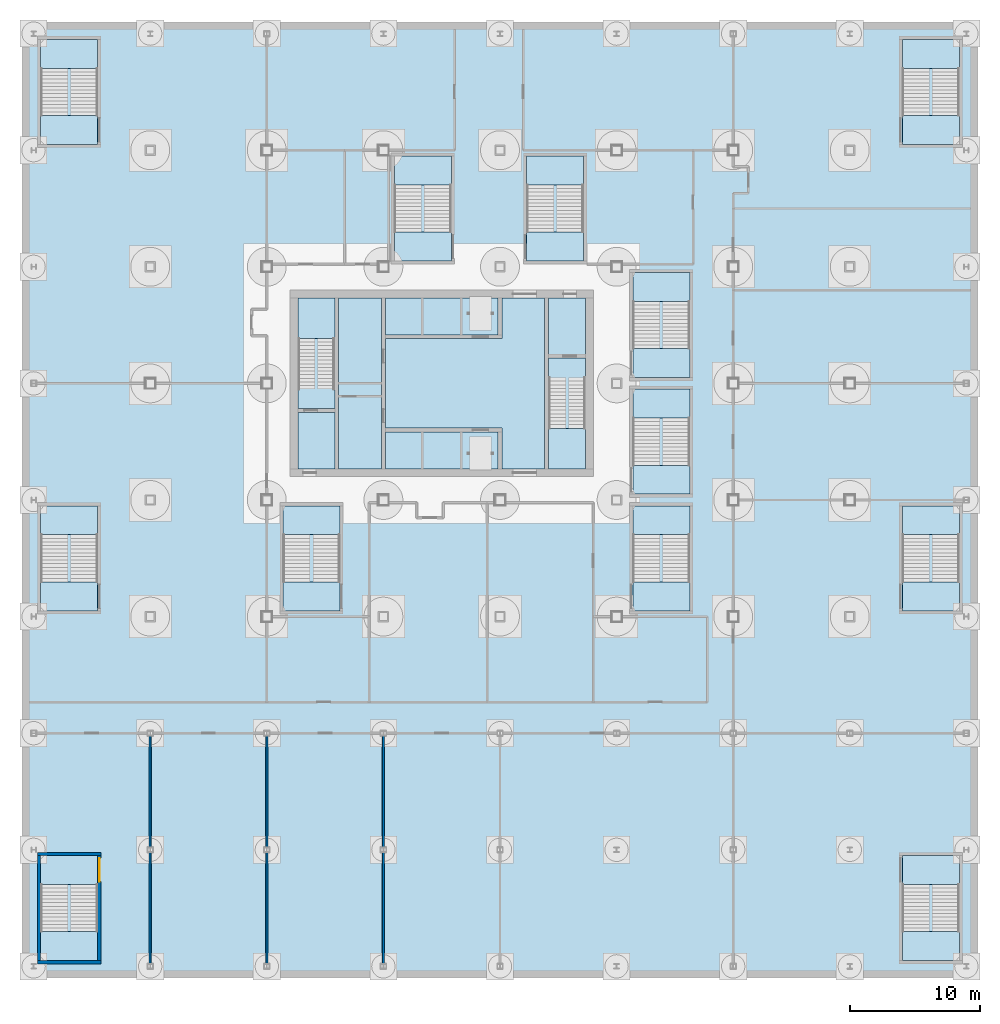
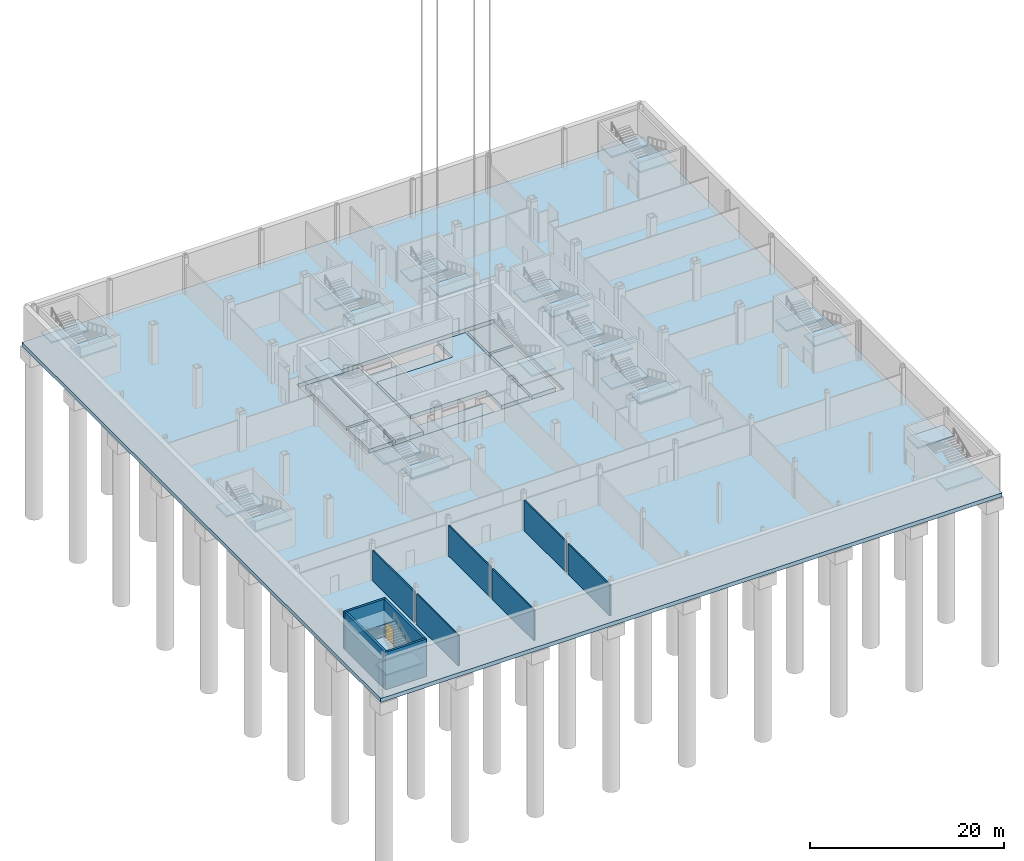
# One storey, part 7 of 28: 35 slabs, 10 walls, 1 door, 1 opening, 14 elements without a shape of their own.
"""IFC4 building model written with IfcOpenShell, lengths in metres."""

from ifc_helpers import new_model, si_unit, direction, frame, frame_2d, origin, place, context, subcontext, project, spatial, polyline, rectangle, outline, extrude, material, layer, layer_set, type_object, element, fill, aggregate, save


model = new_model("IFC4")

# Units and contexts
model_context = context("Model", 3, precision=1e-05, world=origin(), true_north=direction((0.0, 1.0)))
body_context = subcontext(model_context, "Body", "Model", "MODEL_VIEW")
ifc_project = project(units=[si_unit("LENGTHUNIT", "METRE"), si_unit("AREAUNIT", "SQUARE_METRE"), si_unit("VOLUMEUNIT", "CUBIC_METRE"), si_unit("PLANEANGLEUNIT", "RADIAN"), si_unit("MASSUNIT", "GRAM", prefix="KILO")], contexts=[model_context])

# Site, building, storey
site_placement = place(None, origin())
site = spatial("IfcSite", under=ifc_project, at=site_placement, CompositionType="ELEMENT")
building_placement = place(site_placement, origin())
building = spatial("IfcBuilding", under=site, at=building_placement, Name="Loomwork Tower", CompositionType="ELEMENT")
storey_placement = place(building_placement, frame((0.0, 0.0, -10.5)))
storey = spatial("IfcBuildingStorey", under=building, at=storey_placement, Name="B2", CompositionType="ELEMENT", Elevation=-10.5)

# Slabs
ifc_material_1 = material(Name="Concrete 6000 psi (41 MPa)", Category="concrete")
ifc_layer_1 = layer(ifc_material_1, 0.5)
ifc_layer_set_1 = layer_set([ifc_layer_1], Name="Base slab 500")
slab_type_1 = type_object("IfcSlabType", Name="Base slab 500", PredefinedType="BASESLAB", material=ifc_layer_set_1)
slab_1_placement = place(storey_placement, frame((0.0, 0.0, -0.5)))
element("IfcSlab", 1, at=slab_1_placement, inside=storey, type_object=slab_type_1, Name="Base slab B2", PredefinedType="BASESLAB", context=body_context, shape_type="SweptSolid", body=[
    extrude(outline(polyline([(-9.89990234375, -27.89990234375), (-9.89990234375, 45.89990234375), (63.89990234375, 45.89990234375), (63.89990234375, -27.89990234375), (-9.89990234375, -27.89990234375)]), holes=[polyline([(10.800048828125, 11.39990234375), (10.800048828125, 10.800048828125), (34.199951171875, 10.800048828125), (34.199951171875, 11.39990234375), (34.199951171875, 11.39990234375), (34.199951171875, 24.60009765625), (34.199951171875, 25.199951171875), (10.800048828125, 25.199951171875), (10.800048828125, 24.60009765625), (10.800048828125, 11.39990234375), (10.800048828125, 11.39990234375)])]), origin(), (0.0, 0.0, 1.0), 0.5),
])
slab_2_placement = place(storey_placement, frame((0.0, 0.0, -0.5)))
element("IfcSlab", 2, at=slab_2_placement, inside=storey, type_object=slab_type_1, Name="Base slab B2 core infill 1", PredefinedType="BASESLAB", context=body_context, shape_type="SweptSolid", body=[
    extrude(outline(polyline([(18.14990234375, 21.449951171875), (27.14990234375, 21.449951171875), (27.14990234375, 21.75), (27.14990234375, 24.60009765625), (30.449951171875, 24.60009765625), (30.449951171875, 11.39990234375), (27.14990234375, 11.39990234375), (27.14990234375, 14.25), (27.14990234375, 14.550048828125), (18.14990234375, 14.550048828125), (18.14990234375, 21.449951171875)])), origin(), (0.0, 0.0, 1.0), 0.5),
])
slab_3_placement = place(storey_placement, frame((0.0, 0.0, -0.5)))
element("IfcSlab", 3, at=slab_3_placement, inside=storey, type_object=slab_type_1, Name="Base slab B2 core infill 2", PredefinedType="BASESLAB", context=body_context, shape_type="SweptSolid", body=[
    extrude(outline(polyline([(14.550048828125, 24.60009765625), (17.85009765625, 24.60009765625), (17.85009765625, 11.39990234375), (14.550048828125, 11.39990234375), (14.550048828125, 24.60009765625)])), origin(), (0.0, 0.0, 1.0), 0.5),
])
slab_4_placement = place(storey_placement, frame((0.0, 0.0, -0.5)))
element("IfcSlab", 4, at=slab_4_placement, inside=storey, type_object=slab_type_1, Name="Base slab B2 core infill 3", PredefinedType="BASESLAB", context=body_context, shape_type="SweptSolid", body=[
    extrude(outline(polyline([(30.75, 11.39990234375), (30.75, 19.949951171875), (33.60009765625, 19.949951171875), (33.60009765625, 11.39990234375), (30.75, 11.39990234375)])), origin(), (0.0, 0.0, 1.0), 0.5),
])
slab_5_placement = place(storey_placement, frame((0.0, 0.0, -0.5)))
element("IfcSlab", 5, at=slab_5_placement, inside=storey, type_object=slab_type_1, Name="Base slab B2 core infill 4", PredefinedType="BASESLAB", context=body_context, shape_type="SweptSolid", body=[
    extrude(outline(polyline([(11.39990234375, 24.60009765625), (14.25, 24.60009765625), (14.25, 16.050048828125), (11.39990234375, 16.050048828125), (11.39990234375, 24.60009765625)])), origin(), (0.0, 0.0, 1.0), 0.5),
])
slab_6_placement = place(storey_placement, frame((0.0, 0.0, -0.5)))
element("IfcSlab", 6, at=slab_6_placement, inside=storey, type_object=slab_type_1, Name="Base slab B2 core infill 5", PredefinedType="BASESLAB", context=body_context, shape_type="SweptSolid", body=[
    extrude(outline(polyline([(33.60009765625, 20.25), (30.75, 20.25), (30.75, 24.60009765625), (33.60009765625, 24.60009765625), (33.60009765625, 20.25)])), origin(), (0.0, 0.0, 1.0), 0.5),
])
slab_7_placement = place(storey_placement, frame((0.0, 0.0, -0.5)))
element("IfcSlab", 7, at=slab_7_placement, inside=storey, type_object=slab_type_1, Name="Base slab B2 core infill 6", PredefinedType="BASESLAB", context=body_context, shape_type="SweptSolid", body=[
    extrude(outline(polyline([(14.25, 11.39990234375), (11.39990234375, 11.39990234375), (11.39990234375, 15.75), (14.25, 15.75), (14.25, 11.39990234375)])), origin(), (0.0, 0.0, 1.0), 0.5),
])
ifc_material_2 = material(Name="Concrete 6000 psi (41 MPa)", Category="concrete")
ifc_layer_2 = layer(ifc_material_2, 0.5)
ifc_layer_set_2 = layer_set([ifc_layer_2], Name="Lift pit slab 500")
slab_type_2 = type_object("IfcSlabType", Name="Lift pit slab 500", PredefinedType="BASESLAB", material=ifc_layer_set_2)
slab_8_placement = place(storey_placement, frame((0.0, 0.0, -1.800048828125)))
element("IfcSlab", 8, at=slab_8_placement, inside=storey, type_object=slab_type_2, Name="Lift pit slab south row", PredefinedType="BASESLAB", context=body_context, shape_type="SweptSolid", body=[
    extrude(outline(polyline([(18.14990234375, 11.39990234375), (26.85009765625, 11.39990234375), (26.85009765625, 14.25), (18.14990234375, 14.25), (18.14990234375, 11.39990234375)])), origin(), (0.0, 0.0, 1.0), 0.5),
])
slab_9_placement = place(storey_placement, frame((0.0, 0.0, -1.800048828125)))
element("IfcSlab", 9, at=slab_9_placement, inside=storey, type_object=slab_type_2, Name="Lift pit slab north row", PredefinedType="BASESLAB", context=body_context, shape_type="SweptSolid", body=[
    extrude(outline(polyline([(18.14990234375, 21.75), (26.85009765625, 21.75), (26.85009765625, 24.60009765625), (18.14990234375, 24.60009765625), (18.14990234375, 21.75)])), origin(), (0.0, 0.0, 1.0), 0.5),
])

# Stair, slab
ifc_material_3 = material(Name="Concrete 5000 psi (34 MPa) precast stair", Category="concrete")
stair_type_1 = type_object("IfcStairType", Name="Stair ST-A 30 risers 2850 wide", PredefinedType="HALF_TURN_STAIR", material=ifc_material_3)
stair_1_placement = place(storey_placement, origin())
stair_1 = element("IfcStair", 10, at=stair_1_placement, inside=storey, type_object=stair_type_1, Name="Stair A B2", PredefinedType="HALF_TURN_STAIR")
ifc_material_4 = material(Name="Concrete 5000 psi (34 MPa)", Category="concrete")
ifc_layer_3 = layer(ifc_material_4, 0.199951171875)
ifc_layer_set_3 = layer_set([ifc_layer_3], Name="Stair landing 200")
slab_type_3 = type_object("IfcSlabType", Name="Stair landing 200", PredefinedType="LANDING", material=ifc_layer_set_3)
slab_10_placement = place(storey_placement, frame((0.0, 0.0, 2.300048828125)))
slab_10 = element("IfcSlab", 11, at=slab_10_placement, type_object=slab_type_3, Name="ST-A landing 1", PredefinedType="LANDING", context=body_context, shape_type="SweptSolid", body=[
    extrude(outline(polyline([(11.39990234375, 21.469970703125), (14.25, 21.469970703125), (14.25, 24.60009765625), (11.39990234375, 24.60009765625), (11.39990234375, 21.469970703125)])), origin(), (0.0, 0.0, 1.0), 0.199951171875),
])
aggregate(stair_1, [slab_10])

ifc_material_5 = material(Name="Concrete 5000 psi (34 MPa) precast stair", Category="concrete")
stair_type_2 = type_object("IfcStairType", Name="Stair ST-B 30 risers 2850 wide", PredefinedType="HALF_TURN_STAIR", material=ifc_material_5)
stair_2_placement = place(storey_placement, origin())
stair_2 = element("IfcStair", 12, at=stair_2_placement, inside=storey, type_object=stair_type_2, Name="Stair B B2", PredefinedType="HALF_TURN_STAIR")
slab_11_placement = place(storey_placement, frame((0.0, 0.0, 2.300048828125)))
slab_11 = element("IfcSlab", 13, at=slab_11_placement, type_object=slab_type_3, Name="ST-B landing 1", PredefinedType="LANDING", context=body_context, shape_type="SweptSolid", body=[
    extrude(outline(polyline([(30.75, 11.39990234375), (33.60009765625, 11.39990234375), (33.60009765625, 14.530029296875), (30.75, 14.530029296875), (30.75, 11.39990234375)])), origin(), (0.0, 0.0, 1.0), 0.199951171875),
])
aggregate(stair_2, [slab_11])

# Stair, slabs
ifc_material_6 = material(Name="Concrete 5000 psi (34 MPa) precast stair", Category="concrete")
stair_type_3 = type_object("IfcStairType", Name="Stair ST-S1P 42 risers of 119 4400 wide", PredefinedType="HALF_TURN_STAIR", material=ifc_material_6)
stair_3_placement = place(storey_placement, origin())
stair_3 = element("IfcStair", 14, at=stair_3_placement, inside=storey, type_object=stair_type_3, Name="Podium stair PS1 B2", PredefinedType="HALF_TURN_STAIR")
slab_12_placement = place(storey_placement, frame((0.0, 0.0, 1.466796875)))
slab_12 = element("IfcSlab", 15, at=slab_12_placement, type_object=slab_type_3, Name="ST-S1P landing 1", PredefinedType="LANDING", context=body_context, shape_type="SweptSolid", body=[
    extrude(outline(polyline([(-8.449951171875, -26.550048828125), (-4.050048828125, -26.550048828125), (-4.050048828125, -24.320068359375), (-8.449951171875, -24.320068359375), (-8.449951171875, -26.550048828125)])), origin(), (0.0, 0.0, 1.0), 0.199951171875),
])
slab_13_placement = place(storey_placement, frame((0.0, 0.0, 3.13330078125)))
slab_13 = element("IfcSlab", 16, at=slab_13_placement, type_object=slab_type_3, Name="ST-S1P landing 2", PredefinedType="LANDING", context=body_context, shape_type="SweptSolid", body=[
    extrude(outline(polyline([(-8.449951171875, -20.679931640625), (-4.050048828125, -20.679931640625), (-4.050048828125, -18.449951171875), (-8.449951171875, -18.449951171875), (-8.449951171875, -20.679931640625)])), origin(), (0.0, 0.0, 1.0), 0.199951171875),
])
aggregate(stair_3, [slab_12, slab_13])

ifc_material_7 = material(Name="Concrete 5000 psi (34 MPa) precast stair", Category="concrete")
stair_type_4 = type_object("IfcStairType", Name="Stair ST-S2P 42 risers of 119 4400 wide", PredefinedType="HALF_TURN_STAIR", material=ifc_material_7)
stair_4_placement = place(storey_placement, origin())
stair_4 = element("IfcStair", 17, at=stair_4_placement, inside=storey, type_object=stair_type_4, Name="Podium stair PS2 B2", PredefinedType="HALF_TURN_STAIR")
slab_14_placement = place(storey_placement, frame((0.0, 0.0, 1.466796875)))
slab_14 = element("IfcSlab", 18, at=slab_14_placement, type_object=slab_type_3, Name="ST-S2P landing 1", PredefinedType="LANDING", context=body_context, shape_type="SweptSolid", body=[
    extrude(outline(polyline([(58.050048828125, -26.550048828125), (62.449951171875, -26.550048828125), (62.449951171875, -24.320068359375), (58.050048828125, -24.320068359375), (58.050048828125, -26.550048828125)])), origin(), (0.0, 0.0, 1.0), 0.199951171875),
])
slab_15_placement = place(storey_placement, frame((0.0, 0.0, 3.13330078125)))
slab_15 = element("IfcSlab", 19, at=slab_15_placement, type_object=slab_type_3, Name="ST-S2P landing 2", PredefinedType="LANDING", context=body_context, shape_type="SweptSolid", body=[
    extrude(outline(polyline([(58.050048828125, -20.679931640625), (62.449951171875, -20.679931640625), (62.449951171875, -18.449951171875), (58.050048828125, -18.449951171875), (58.050048828125, -20.679931640625)])), origin(), (0.0, 0.0, 1.0), 0.199951171875),
])
aggregate(stair_4, [slab_14, slab_15])

ifc_material_8 = material(Name="Concrete 5000 psi (34 MPa) precast stair", Category="concrete")
stair_type_5 = type_object("IfcStairType", Name="Stair ST-S3P 42 risers of 119 4400 wide", PredefinedType="HALF_TURN_STAIR", material=ifc_material_8)
stair_5_placement = place(storey_placement, origin())
stair_5 = element("IfcStair", 20, at=stair_5_placement, inside=storey, type_object=stair_type_5, Name="Podium stair PS3 B2", PredefinedType="HALF_TURN_STAIR")
slab_16_placement = place(storey_placement, frame((0.0, 0.0, 1.466796875)))
slab_16 = element("IfcSlab", 21, at=slab_16_placement, type_object=slab_type_3, Name="ST-S3P landing 1", PredefinedType="LANDING", context=body_context, shape_type="SweptSolid", body=[
    extrude(outline(polyline([(-8.449951171875, 42.320068359375), (-4.050048828125, 42.320068359375), (-4.050048828125, 44.550048828125), (-8.449951171875, 44.550048828125), (-8.449951171875, 42.320068359375)])), origin(), (0.0, 0.0, 1.0), 0.199951171875),
])
slab_17_placement = place(storey_placement, frame((0.0, 0.0, 3.13330078125)))
slab_17 = element("IfcSlab", 22, at=slab_17_placement, type_object=slab_type_3, Name="ST-S3P landing 2", PredefinedType="LANDING", context=body_context, shape_type="SweptSolid", body=[
    extrude(outline(polyline([(-8.449951171875, 36.449951171875), (-4.050048828125, 36.449951171875), (-4.050048828125, 38.679931640625), (-8.449951171875, 38.679931640625), (-8.449951171875, 36.449951171875)])), origin(), (0.0, 0.0, 1.0), 0.199951171875),
])
aggregate(stair_5, [slab_16, slab_17])

ifc_material_9 = material(Name="Concrete 5000 psi (34 MPa) precast stair", Category="concrete")
stair_type_6 = type_object("IfcStairType", Name="Stair ST-S4P 42 risers of 119 4400 wide", PredefinedType="HALF_TURN_STAIR", material=ifc_material_9)
stair_6_placement = place(storey_placement, origin())
stair_6 = element("IfcStair", 23, at=stair_6_placement, inside=storey, type_object=stair_type_6, Name="Podium stair PS4 B2", PredefinedType="HALF_TURN_STAIR")
slab_18_placement = place(storey_placement, frame((0.0, 0.0, 1.466796875)))
slab_18 = element("IfcSlab", 24, at=slab_18_placement, type_object=slab_type_3, Name="ST-S4P landing 1", PredefinedType="LANDING", context=body_context, shape_type="SweptSolid", body=[
    extrude(outline(polyline([(58.050048828125, 42.320068359375), (62.449951171875, 42.320068359375), (62.449951171875, 44.550048828125), (58.050048828125, 44.550048828125), (58.050048828125, 42.320068359375)])), origin(), (0.0, 0.0, 1.0), 0.199951171875),
])
slab_19_placement = place(storey_placement, frame((0.0, 0.0, 3.13330078125)))
slab_19 = element("IfcSlab", 25, at=slab_19_placement, type_object=slab_type_3, Name="ST-S4P landing 2", PredefinedType="LANDING", context=body_context, shape_type="SweptSolid", body=[
    extrude(outline(polyline([(58.050048828125, 36.449951171875), (62.449951171875, 36.449951171875), (62.449951171875, 38.679931640625), (58.050048828125, 38.679931640625), (58.050048828125, 36.449951171875)])), origin(), (0.0, 0.0, 1.0), 0.199951171875),
])
aggregate(stair_6, [slab_18, slab_19])

ifc_material_10 = material(Name="Concrete 5000 psi (34 MPa) precast stair", Category="concrete")
stair_type_7 = type_object("IfcStairType", Name="Stair ST-S5P 42 risers of 119 4400 wide", PredefinedType="HALF_TURN_STAIR", material=ifc_material_10)
stair_7_placement = place(storey_placement, origin())
stair_7 = element("IfcStair", 26, at=stair_7_placement, inside=storey, type_object=stair_type_7, Name="Podium stair PS5 B2", PredefinedType="HALF_TURN_STAIR")
slab_20_placement = place(storey_placement, frame((0.0, 0.0, 1.466796875)))
slab_20 = element("IfcSlab", 27, at=slab_20_placement, type_object=slab_type_3, Name="ST-S5P landing 1", PredefinedType="LANDING", context=body_context, shape_type="SweptSolid", body=[
    extrude(outline(polyline([(-8.449951171875, 6.320068359375), (-4.050048828125, 6.320068359375), (-4.050048828125, 8.550048828125), (-8.449951171875, 8.550048828125), (-8.449951171875, 6.320068359375)])), origin(), (0.0, 0.0, 1.0), 0.199951171875),
])
slab_21_placement = place(storey_placement, frame((0.0, 0.0, 3.13330078125)))
slab_21 = element("IfcSlab", 28, at=slab_21_placement, type_object=slab_type_3, Name="ST-S5P landing 2", PredefinedType="LANDING", context=body_context, shape_type="SweptSolid", body=[
    extrude(outline(polyline([(-8.449951171875, 0.449951171875), (-4.050048828125, 0.449951171875), (-4.050048828125, 2.679931640625), (-8.449951171875, 2.679931640625), (-8.449951171875, 0.449951171875)])), origin(), (0.0, 0.0, 1.0), 0.199951171875),
])
aggregate(stair_7, [slab_20, slab_21])

ifc_material_11 = material(Name="Concrete 5000 psi (34 MPa) precast stair", Category="concrete")
stair_type_8 = type_object("IfcStairType", Name="Stair ST-S6P 42 risers of 119 4400 wide", PredefinedType="HALF_TURN_STAIR", material=ifc_material_11)
stair_8_placement = place(storey_placement, origin())
stair_8 = element("IfcStair", 29, at=stair_8_placement, inside=storey, type_object=stair_type_8, Name="Podium stair PS6 B2", PredefinedType="HALF_TURN_STAIR")
slab_22_placement = place(storey_placement, frame((0.0, 0.0, 1.466796875)))
slab_22 = element("IfcSlab", 30, at=slab_22_placement, type_object=slab_type_3, Name="ST-S6P landing 1", PredefinedType="LANDING", context=body_context, shape_type="SweptSolid", body=[
    extrude(outline(polyline([(58.050048828125, 6.320068359375), (62.449951171875, 6.320068359375), (62.449951171875, 8.550048828125), (58.050048828125, 8.550048828125), (58.050048828125, 6.320068359375)])), origin(), (0.0, 0.0, 1.0), 0.199951171875),
])
slab_23_placement = place(storey_placement, frame((0.0, 0.0, 3.13330078125)))
slab_23 = element("IfcSlab", 31, at=slab_23_placement, type_object=slab_type_3, Name="ST-S6P landing 2", PredefinedType="LANDING", context=body_context, shape_type="SweptSolid", body=[
    extrude(outline(polyline([(58.050048828125, 0.449951171875), (62.449951171875, 0.449951171875), (62.449951171875, 2.679931640625), (58.050048828125, 2.679931640625), (58.050048828125, 0.449951171875)])), origin(), (0.0, 0.0, 1.0), 0.199951171875),
])
aggregate(stair_8, [slab_22, slab_23])

ifc_material_12 = material(Name="Concrete 5000 psi (34 MPa) precast stair", Category="concrete")
stair_type_9 = type_object("IfcStairType", Name="Stair ST-S7P 42 risers of 119 4400 wide", PredefinedType="HALF_TURN_STAIR", material=ifc_material_12)
stair_9_placement = place(storey_placement, origin())
stair_9 = element("IfcStair", 32, at=stair_9_placement, inside=storey, type_object=stair_type_9, Name="Podium stair PS7 B2", PredefinedType="HALF_TURN_STAIR")
slab_24_placement = place(storey_placement, frame((0.0, 0.0, 1.466796875)))
slab_24 = element("IfcSlab", 33, at=slab_24_placement, type_object=slab_type_3, Name="ST-S7P landing 1", PredefinedType="LANDING", context=body_context, shape_type="SweptSolid", body=[
    extrude(outline(polyline([(37.25, 6.320068359375), (41.64990234375, 6.320068359375), (41.64990234375, 8.550048828125), (37.25, 8.550048828125), (37.25, 6.320068359375)])), origin(), (0.0, 0.0, 1.0), 0.199951171875),
])
slab_25_placement = place(storey_placement, frame((0.0, 0.0, 3.13330078125)))
slab_25 = element("IfcSlab", 34, at=slab_25_placement, type_object=slab_type_3, Name="ST-S7P landing 2", PredefinedType="LANDING", context=body_context, shape_type="SweptSolid", body=[
    extrude(outline(polyline([(37.25, 0.449951171875), (41.64990234375, 0.449951171875), (41.64990234375, 2.679931640625), (37.25, 2.679931640625), (37.25, 0.449951171875)])), origin(), (0.0, 0.0, 1.0), 0.199951171875),
])
aggregate(stair_9, [slab_24, slab_25])

ifc_material_13 = material(Name="Concrete 5000 psi (34 MPa) precast stair", Category="concrete")
stair_type_10 = type_object("IfcStairType", Name="Stair ST-S8P 42 risers of 119 4400 wide", PredefinedType="HALF_TURN_STAIR", material=ifc_material_13)
stair_10_placement = place(storey_placement, origin())
stair_10 = element("IfcStair", 35, at=stair_10_placement, inside=storey, type_object=stair_type_10, Name="Podium stair PS8 B2", PredefinedType="HALF_TURN_STAIR")
slab_26_placement = place(storey_placement, frame((0.0, 0.0, 1.466796875)))
slab_26 = element("IfcSlab", 36, at=slab_26_placement, type_object=slab_type_3, Name="ST-S8P landing 1", PredefinedType="LANDING", context=body_context, shape_type="SweptSolid", body=[
    extrude(outline(polyline([(37.25, 15.320068359375), (41.64990234375, 15.320068359375), (41.64990234375, 17.550048828125), (37.25, 17.550048828125), (37.25, 15.320068359375)])), origin(), (0.0, 0.0, 1.0), 0.199951171875),
])
slab_27_placement = place(storey_placement, frame((0.0, 0.0, 3.13330078125)))
slab_27 = element("IfcSlab", 37, at=slab_27_placement, type_object=slab_type_3, Name="ST-S8P landing 2", PredefinedType="LANDING", context=body_context, shape_type="SweptSolid", body=[
    extrude(outline(polyline([(37.25, 9.449951171875), (41.64990234375, 9.449951171875), (41.64990234375, 11.679931640625), (37.25, 11.679931640625), (37.25, 9.449951171875)])), origin(), (0.0, 0.0, 1.0), 0.199951171875),
])
aggregate(stair_10, [slab_26, slab_27])

ifc_material_14 = material(Name="Concrete 5000 psi (34 MPa) precast stair", Category="concrete")
stair_type_11 = type_object("IfcStairType", Name="Stair ST-S9P 42 risers of 119 4400 wide", PredefinedType="HALF_TURN_STAIR", material=ifc_material_14)
stair_11_placement = place(storey_placement, origin())
stair_11 = element("IfcStair", 38, at=stair_11_placement, inside=storey, type_object=stair_type_11, Name="Podium stair PS9 B2", PredefinedType="HALF_TURN_STAIR")
slab_28_placement = place(storey_placement, frame((0.0, 0.0, 1.466796875)))
slab_28 = element("IfcSlab", 39, at=slab_28_placement, type_object=slab_type_3, Name="ST-S9P landing 1", PredefinedType="LANDING", context=body_context, shape_type="SweptSolid", body=[
    extrude(outline(polyline([(37.25, 24.320068359375), (41.64990234375, 24.320068359375), (41.64990234375, 26.550048828125), (37.25, 26.550048828125), (37.25, 24.320068359375)])), origin(), (0.0, 0.0, 1.0), 0.199951171875),
])
slab_29_placement = place(storey_placement, frame((0.0, 0.0, 3.13330078125)))
slab_29 = element("IfcSlab", 40, at=slab_29_placement, type_object=slab_type_3, Name="ST-S9P landing 2", PredefinedType="LANDING", context=body_context, shape_type="SweptSolid", body=[
    extrude(outline(polyline([(37.25, 18.449951171875), (41.64990234375, 18.449951171875), (41.64990234375, 20.679931640625), (37.25, 20.679931640625), (37.25, 18.449951171875)])), origin(), (0.0, 0.0, 1.0), 0.199951171875),
])
aggregate(stair_11, [slab_28, slab_29])

ifc_material_15 = material(Name="Concrete 5000 psi (34 MPa) precast stair", Category="concrete")
stair_type_12 = type_object("IfcStairType", Name="Stair ST-S10P 42 risers of 119 4400 wide", PredefinedType="HALF_TURN_STAIR", material=ifc_material_15)
stair_12_placement = place(storey_placement, origin())
stair_12 = element("IfcStair", 41, at=stair_12_placement, inside=storey, type_object=stair_type_12, Name="Podium stair PS10 B2", PredefinedType="HALF_TURN_STAIR")
slab_30_placement = place(storey_placement, frame((0.0, 0.0, 1.466796875)))
slab_30 = element("IfcSlab", 42, at=slab_30_placement, type_object=slab_type_3, Name="ST-S10P landing 1", PredefinedType="LANDING", context=body_context, shape_type="SweptSolid", body=[
    extrude(outline(polyline([(18.85009765625, 33.320068359375), (23.25, 33.320068359375), (23.25, 35.550048828125), (18.85009765625, 35.550048828125), (18.85009765625, 33.320068359375)])), origin(), (0.0, 0.0, 1.0), 0.199951171875),
])
slab_31_placement = place(storey_placement, frame((0.0, 0.0, 3.13330078125)))
slab_31 = element("IfcSlab", 43, at=slab_31_placement, type_object=slab_type_3, Name="ST-S10P landing 2", PredefinedType="LANDING", context=body_context, shape_type="SweptSolid", body=[
    extrude(outline(polyline([(18.85009765625, 27.449951171875), (23.25, 27.449951171875), (23.25, 29.679931640625), (18.85009765625, 29.679931640625), (18.85009765625, 27.449951171875)])), origin(), (0.0, 0.0, 1.0), 0.199951171875),
])
aggregate(stair_12, [slab_30, slab_31])

ifc_material_16 = material(Name="Concrete 5000 psi (34 MPa) precast stair", Category="concrete")
stair_type_13 = type_object("IfcStairType", Name="Stair ST-S11P 42 risers of 119 4400 wide", PredefinedType="HALF_TURN_STAIR", material=ifc_material_16)
stair_13_placement = place(storey_placement, origin())
stair_13 = element("IfcStair", 44, at=stair_13_placement, inside=storey, type_object=stair_type_13, Name="Podium stair PS11 B2", PredefinedType="HALF_TURN_STAIR")
slab_32_placement = place(storey_placement, frame((0.0, 0.0, 1.466796875)))
slab_32 = element("IfcSlab", 45, at=slab_32_placement, type_object=slab_type_3, Name="ST-S11P landing 1", PredefinedType="LANDING", context=body_context, shape_type="SweptSolid", body=[
    extrude(outline(polyline([(29.050048828125, 33.320068359375), (33.449951171875, 33.320068359375), (33.449951171875, 35.550048828125), (29.050048828125, 35.550048828125), (29.050048828125, 33.320068359375)])), origin(), (0.0, 0.0, 1.0), 0.199951171875),
])
slab_33_placement = place(storey_placement, frame((0.0, 0.0, 3.13330078125)))
slab_33 = element("IfcSlab", 46, at=slab_33_placement, type_object=slab_type_3, Name="ST-S11P landing 2", PredefinedType="LANDING", context=body_context, shape_type="SweptSolid", body=[
    extrude(outline(polyline([(29.050048828125, 27.449951171875), (33.449951171875, 27.449951171875), (33.449951171875, 29.679931640625), (29.050048828125, 29.679931640625), (29.050048828125, 27.449951171875)])), origin(), (0.0, 0.0, 1.0), 0.199951171875),
])
aggregate(stair_13, [slab_32, slab_33])

ifc_material_17 = material(Name="Concrete 5000 psi (34 MPa) precast stair", Category="concrete")
stair_type_14 = type_object("IfcStairType", Name="Stair ST-S12P 42 risers of 119 4400 wide", PredefinedType="HALF_TURN_STAIR", material=ifc_material_17)
stair_14_placement = place(storey_placement, origin())
stair_14 = element("IfcStair", 47, at=stair_14_placement, inside=storey, type_object=stair_type_14, Name="Podium stair PS12 B2", PredefinedType="HALF_TURN_STAIR")
slab_34_placement = place(storey_placement, frame((0.0, 0.0, 1.466796875)))
slab_34 = element("IfcSlab", 48, at=slab_34_placement, type_object=slab_type_3, Name="ST-S12P landing 1", PredefinedType="LANDING", context=body_context, shape_type="SweptSolid", body=[
    extrude(outline(polyline([(10.25, 6.320068359375), (14.64990234375, 6.320068359375), (14.64990234375, 8.550048828125), (10.25, 8.550048828125), (10.25, 6.320068359375)])), origin(), (0.0, 0.0, 1.0), 0.199951171875),
])
slab_35_placement = place(storey_placement, frame((0.0, 0.0, 3.13330078125)))
slab_35 = element("IfcSlab", 49, at=slab_35_placement, type_object=slab_type_3, Name="ST-S12P landing 2", PredefinedType="LANDING", context=body_context, shape_type="SweptSolid", body=[
    extrude(outline(polyline([(10.25, 0.449951171875), (14.64990234375, 0.449951171875), (14.64990234375, 2.679931640625), (10.25, 2.679931640625), (10.25, 0.449951171875)])), origin(), (0.0, 0.0, 1.0), 0.199951171875),
])
aggregate(stair_14, [slab_34, slab_35])

# Walls
ifc_material_18 = material(Name="Gypsum board on steel studs, one-hour", Category="steel")
ifc_layer_4 = layer(ifc_material_18, 0.14990234375)
ifc_layer_set_4 = layer_set([ifc_layer_4], Name="Partition 150")
wall_type_1 = type_object("IfcWallType", Name="Partition 150", PredefinedType="PARTITIONING", material=ifc_layer_set_4)
for number, where, z_axis, x_axis, name in (
    (50, (0.0, -9.199462890625, 0.0), (0.0, 0.0, 1.0), (0.0, -1.0, 0.0), "Partition B2 4.1"),
    (51, (0.0, -18.199462890625, 0.0), (0.0, 0.0, 1.0), (0.0, -1.0, 0.0), "Partition B2 4.2"),
    (52, (9.0, -9.199462890625, 0.0), (0.0, 0.0, 1.0), (0.0, -1.0, 0.0), "Partition B2 6.1"),
    (53, (9.0, -18.199462890625, 0.0), (0.0, 0.0, 1.0), (0.0, -1.0, 0.0), "Partition B2 6.2"),
    (54, (18.0, -9.199462890625, 0.0), (0.0, 0.0, 1.0), (0.0, -1.0, 0.0), "Partition B2 24.1"),
    (55, (18.0, -18.199462890625, 0.0), (0.0, 0.0, 1.0), (0.0, -1.0, 0.0), "Partition B2 24.2"),
):
    element("IfcWall", number, at=place(storey_placement, frame(where, z_axis=z_axis, x_axis=x_axis)), inside=storey, type_object=wall_type_1, Name=name, PredefinedType="PARTITIONING", context=body_context, shape_type="SweptSolid", body=[
        extrude(rectangle(XDim=8.60107421875, YDim=0.14990234375, at=frame_2d((4.300537109375, 0.0))), origin(), (0.0, 0.0, 1.0), 3.841552734375),
    ])
ifc_material_19 = material(Name="Concrete masonry, two-hour", Category="masonry")
ifc_layer_5 = layer(ifc_material_19, 0.25)
ifc_layer_set_5 = layer_set([ifc_layer_5], Name="Stair enclosure wall 250")
wall_type_2 = type_object("IfcWallType", Name="Stair enclosure wall 250", PredefinedType="SOLIDWALL", material=ifc_layer_set_5)
for number, where, z_axis, x_axis, name in (
    (56, (-8.699951171875, -26.675048828125, 0.0), (0.0, 0.0, 1.0), (1.0, 0.0, 0.0), "Stair PS1 enclosure wall S B2"),
    (57, (-8.699951171875, -18.324951171875, 0.0), (0.0, 0.0, 1.0), (1.0, 0.0, 0.0), "Stair PS1 enclosure wall N B2"),
):
    element("IfcWall", number, at=place(storey_placement, frame(where, z_axis=z_axis, x_axis=x_axis)), inside=storey, type_object=wall_type_2, Name=name, PredefinedType="SOLIDWALL", context=body_context, shape_type="SweptSolid", body=[
        extrude(rectangle(XDim=4.89990234375, YDim=0.25, at=frame_2d((2.449951171875, 0.0))), origin(), (0.0, 0.0, 1.0), 4.699951171875),
    ])
wall_1_placement = place(storey_placement, frame((-8.574951171875, -26.550048828125, 0.0), z_axis=(0.0, 0.0, 1.0), x_axis=(0.0, 1.0, 0.0)))
element("IfcWall", 58, at=wall_1_placement, inside=storey, type_object=wall_type_2, Name="Stair PS1 enclosure wall W B2", PredefinedType="SOLIDWALL", context=body_context, shape_type="SweptSolid", body=[
    extrude(rectangle(XDim=8.10009765625, YDim=0.25, at=frame_2d((4.050048828125, 0.0))), origin(), (0.0, 0.0, 1.0), 4.699951171875),
])

# Wall, opening, door
wall_2_placement = place(storey_placement, frame((-3.925048828125, -26.550048828125, 0.0), z_axis=(0.0, 0.0, 1.0), x_axis=(0.0, 1.0, 0.0)))
wall_2 = element("IfcWall", 59, at=wall_2_placement, inside=storey, type_object=wall_type_2, Name="Stair PS1 enclosure wall E B2", PredefinedType="SOLIDWALL", context=body_context, shape_type="SweptSolid", body=[
    extrude(rectangle(XDim=8.10009765625, YDim=0.25, at=frame_2d((4.050048828125, 0.0))), origin(), (0.0, 0.0, 1.0), 4.699951171875),
])
opening_placement = place(wall_2_placement, frame((6.10009765625, 0.0, 0.0)))
opening = element("IfcOpeningElement", 60, at=opening_placement, cuts=wall_2, Name="Opening D14", PredefinedType="OPENING", context=body_context, shape_type="SweptSolid", body=[
    extrude(rectangle(XDim=1.800048828125, YDim=2.10009765625, at=frame_2d((0.89990234375, 1.050048828125))), frame((0.0, 0.135009765625, 0.0), z_axis=(0.0, -1.0, 0.0), x_axis=(1.0, 0.0, 0.0)), (0.0, 0.0, 1.0), 0.27001953125),
])
ifc_material_20 = material(Name="Hollow metal door and frame")
door_type = type_object("IfcDoorType", Name="Stair double door 1800", OperationType="DOUBLE_DOOR_SINGLE_SWING", PredefinedType="DOOR", material=ifc_material_20)
door_placement = place(opening_placement, origin())
door = element("IfcDoor", 61, at=door_placement, inside=storey, type_object=door_type, Name="Stair PS1 door B2", OperationType="DOUBLE_DOOR_SINGLE_SWING", OverallHeight=2.10009765625, OverallWidth=1.800048828125, PredefinedType="DOOR", context=body_context, shape_type="SweptSolid", body=[
    extrude(rectangle(XDim=1.800048828125, YDim=2.10009765625, at=frame_2d((0.89990234375, 1.050048828125))), frame((0.0, 0.02490234375, 0.0), z_axis=(0.0, -1.0, 0.0), x_axis=(1.0, 0.0, 0.0)), (0.0, 0.0, 1.0), 0.050048828125),
])
fill(opening, door)

save(model, "model.ifc")
